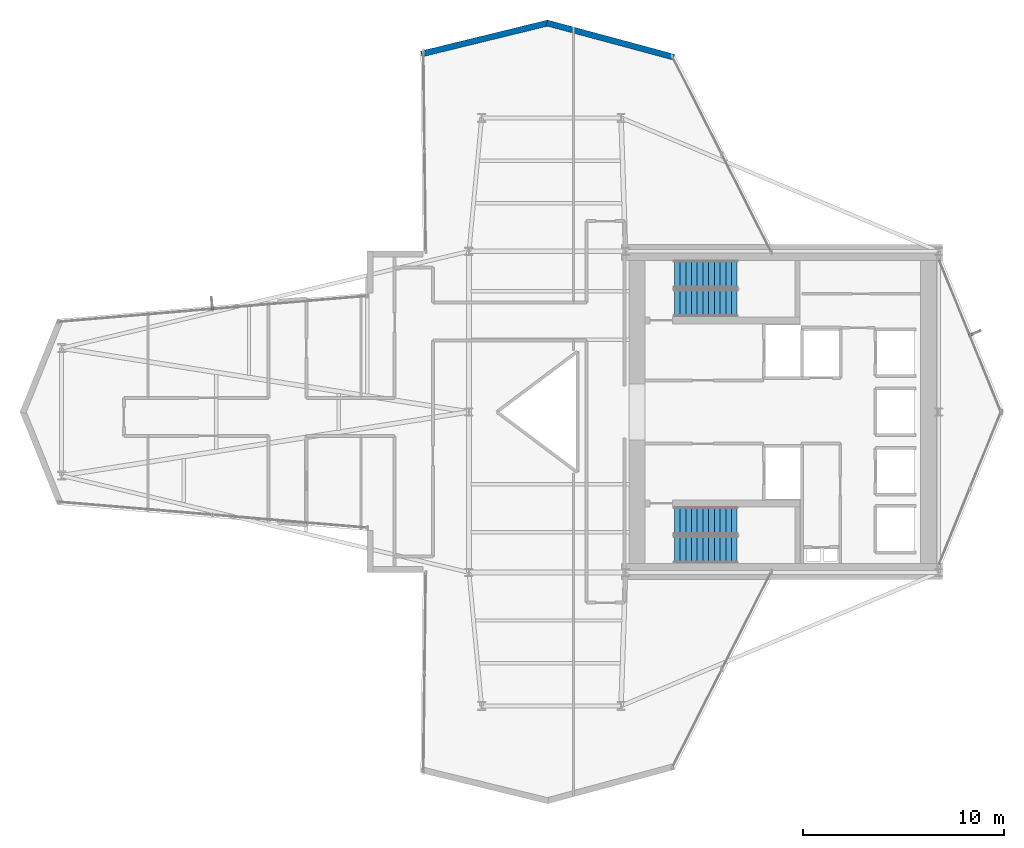
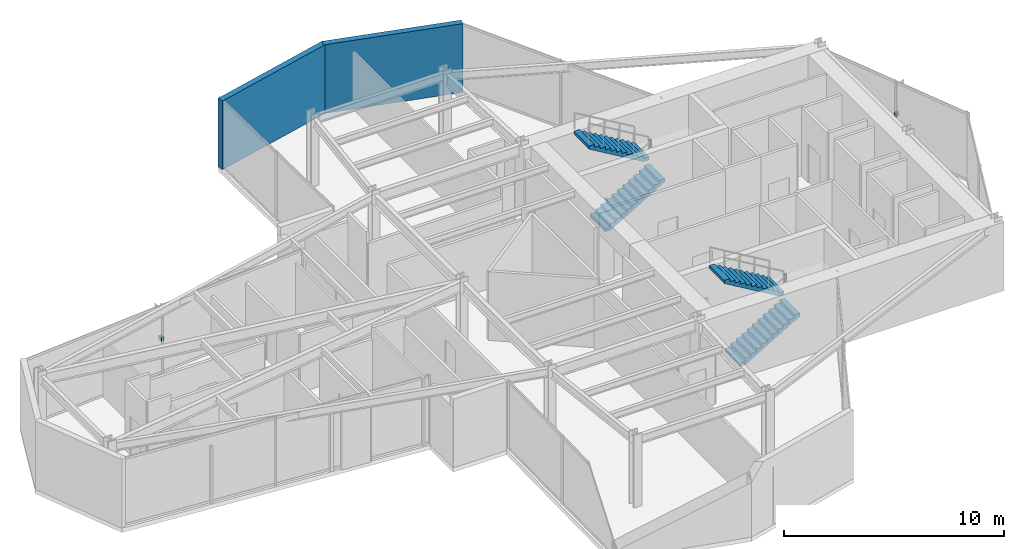
# One storey, part 25 of 26: 4 stair flights, 2 discrete accessories, 2 walls, 2 elements without a shape of their own.
"""IFC4 building model written with IfcOpenShell, lengths in metres."""

from ifc_helpers import new_model, si_unit, direction, frame, frame_2d, origin, origin_2d, place, context, subcontext, project, spatial, polyline, rectangle, outline, extrude, material, layer, layer_set, type_object, element, aggregate, save


model = new_model("IFC4")

# Units and contexts
model_context = context("Model", 3, precision=1e-05, world=origin(), true_north=direction((0.0, 1.0)))
body_context = subcontext(model_context, "Body", "Model", "MODEL_VIEW")
ifc_project = project(units=[si_unit("LENGTHUNIT", "METRE"), si_unit("AREAUNIT", "SQUARE_METRE"), si_unit("VOLUMEUNIT", "CUBIC_METRE"), si_unit("PLANEANGLEUNIT", "RADIAN"), si_unit("MASSUNIT", "GRAM", prefix="KILO")], contexts=[model_context])

# Site, building, storey
site_placement = place(None, origin())
site = spatial("IfcSite", under=ifc_project, at=site_placement, CompositionType="ELEMENT")
building_placement = place(site_placement, origin())
building = spatial("IfcBuilding", under=site, at=building_placement, Name="Veymaron Broadcast Tower", CompositionType="ELEMENT")
storey_placement = place(building_placement, frame((0.0, 0.0, 133.050048828125)))
storey = spatial("IfcBuildingStorey", under=building, at=storey_placement, Name="L30", CompositionType="ELEMENT", Elevation=133.050048828125)

# Walls
ifc_material_1 = material(Name="Precast concrete C40/50 with mineral-wool insulation", Category="concrete")
ifc_layer_1 = layer(ifc_material_1, 0.300048828125)
ifc_layer_set_1 = layer_set([ifc_layer_1], Name="Precast concrete C40/50 with mineral-wool insulation")
wall_type = type_object("IfcWallType", Name="WALL-EXT-300", PredefinedType="STANDARD", material=ifc_layer_set_1)
wall_1_placement = place(storey_placement, frame((41.403564453125, 41.6748046875, 0.0), z_axis=(0.0, 0.0, 1.0), x_axis=(-0.965531145086, 0.260287548434, 0.0)))
element("IfcWall", 1, at=wall_1_placement, inside=storey, type_object=wall_type, Name="L30 notched corner facade pier 6-1", PredefinedType="STANDARD", context=body_context, shape_type="SweptSolid", body=[
    extrude(rectangle(XDim=6.55078125, YDim=0.300048828125, at=frame_2d((3.275390625, 0.0))), origin(), (0.0, 0.0, 1.0), 3.81005859375),
])
wall_2_placement = place(storey_placement, frame((35.148193359375, 43.37890625, 0.0), z_axis=(0.0, 0.0, 1.0), x_axis=(-0.971267606245, -0.23798999361, 0.0)))
element("IfcWall", 2, at=wall_2_placement, inside=storey, type_object=wall_type, Name="L30 notched corner facade pier 7-1", PredefinedType="STANDARD", context=body_context, shape_type="SweptSolid", body=[
    extrude(rectangle(XDim=6.511962890625, YDim=0.300048828125, at=frame_2d((3.255859375, 0.0))), origin(), (0.0, 0.0, 1.0), 3.81005859375),
])

# Stair, stair flights
ifc_material_2 = material(Name="Concrete C50/60", Category="concrete")
stair_type_1 = type_object("IfcStairType", Name="STAIR-CORE-1", PredefinedType="HALF_TURN_STAIR", material=ifc_material_2)
stair_1_placement = place(storey_placement, origin())
stair_1 = element("IfcStair", 3, at=stair_1_placement, inside=storey, type_object=stair_type_1, Name="L30 North protected dog-leg exit stair ST1", PredefinedType="HALF_TURN_STAIR")
ifc_material_3 = material(Name="Precast concrete C50/60", Category="concrete")
stair_flight_type = type_object("IfcStairFlightType", Name="FLT-CORE-RC", PredefinedType="STRAIGHT", material=ifc_material_3)
stair_flight_1_placement = place(storey_placement, frame((41.429931640625, 29.419921875, 0.0), z_axis=(0.0, 0.0, 1.0), x_axis=(1.0, 0.0, 0.0)))
stair_flight_1 = element("IfcStairFlight", 4, at=stair_flight_1_placement, type_object=stair_flight_type, Name="ST1 flight 1", NumberOfRisers=12, NumberOfTreads=11, PredefinedType="STRAIGHT", RiserHeight=0.16875, TreadLength=0.285, context=body_context, shape_type="SweptSolid", body=[
    extrude(outline(polyline([(0.0, 0.0), (0.0, 0.168701171875), (0.284912109375, 0.168701171875), (0.284912109375, 0.33740234375), (0.570068359375, 0.33740234375), (0.570068359375, 0.50634765625), (0.85498046875, 0.50634765625), (0.85498046875, 0.675048828125), (1.139892578125, 0.675048828125), (1.139892578125, 0.84375), (1.425048828125, 0.84375), (1.425048828125, 1.012451171875), (1.7099609375, 1.012451171875), (1.7099609375, 1.18115234375), (1.9951171875, 1.18115234375), (1.9951171875, 1.35009765625), (2.280029296875, 1.35009765625), (2.280029296875, 1.518798828125), (2.56494140625, 1.518798828125), (2.56494140625, 1.6875), (2.85009765625, 1.6875), (2.85009765625, 1.856201171875), (3.135009765625, 1.856201171875), (3.135009765625, 2.02490234375), (3.135009765625, 1.68212890625), (0.294189453125, 0.0), (0.0, 0.0)])), frame((0.0, 0.68994140625, 0.0), z_axis=(0.0, -1.0, 0.0), x_axis=(1.0, 0.0, 0.0)), (0.0, 0.0, 1.0), 1.3798828125),
])
stair_flight_2_placement = place(storey_placement, frame((44.56494140625, 30.860107421875, 2.02490234375), z_axis=(0.0, 0.0, 1.0), x_axis=(-1.0, 0.0, 0.0)))
stair_flight_2 = element("IfcStairFlight", 5, at=stair_flight_2_placement, type_object=stair_flight_type, Name="ST1 flight 2", NumberOfRisers=12, NumberOfTreads=11, PredefinedType="STRAIGHT", RiserHeight=0.16875, TreadLength=0.285, context=body_context, shape_type="SweptSolid", body=[
    extrude(outline(polyline([(0.0, 0.0), (0.0, 0.168701171875), (0.284912109375, 0.168701171875), (0.284912109375, 0.33740234375), (0.570068359375, 0.33740234375), (0.570068359375, 0.50634765625), (0.85498046875, 0.50634765625), (0.85498046875, 0.675048828125), (1.139892578125, 0.675048828125), (1.139892578125, 0.84375), (1.425048828125, 0.84375), (1.425048828125, 1.012451171875), (1.7099609375, 1.012451171875), (1.7099609375, 1.18115234375), (1.9951171875, 1.18115234375), (1.9951171875, 1.35009765625), (2.280029296875, 1.35009765625), (2.280029296875, 1.518798828125), (2.56494140625, 1.518798828125), (2.56494140625, 1.6875), (2.85009765625, 1.6875), (2.85009765625, 1.856201171875), (3.135009765625, 1.856201171875), (3.135009765625, 2.02490234375), (3.135009765625, 1.68212890625), (0.294189453125, 0.0), (0.0, 0.0)])), frame((0.0, 0.68994140625, 0.0), z_axis=(0.0, -1.0, 0.0), x_axis=(1.0, 0.0, 0.0)), (0.0, 0.0, 1.0), 1.3798828125),
])
aggregate(stair_1, [stair_flight_1, stair_flight_2])

stair_type_2 = type_object("IfcStairType", Name="STAIR-CORE-2", PredefinedType="HALF_TURN_STAIR", material=ifc_material_2)
stair_2_placement = place(storey_placement, origin())
stair_2 = element("IfcStair", 6, at=stair_2_placement, inside=storey, type_object=stair_type_2, Name="L30 South protected dog-leg exit stair ST2", PredefinedType="HALF_TURN_STAIR")
stair_flight_3_placement = place(storey_placement, frame((41.429931640625, 17.139892578125, 0.0), z_axis=(0.0, 0.0, 1.0), x_axis=(1.0, 0.0, 0.0)))
stair_flight_3 = element("IfcStairFlight", 7, at=stair_flight_3_placement, type_object=stair_flight_type, Name="ST2 flight 1", NumberOfRisers=12, NumberOfTreads=11, PredefinedType="STRAIGHT", RiserHeight=0.16875, TreadLength=0.285, context=body_context, shape_type="SweptSolid", body=[
    extrude(outline(polyline([(0.0, 0.0), (0.0, 0.168701171875), (0.284912109375, 0.168701171875), (0.284912109375, 0.33740234375), (0.570068359375, 0.33740234375), (0.570068359375, 0.50634765625), (0.85498046875, 0.50634765625), (0.85498046875, 0.675048828125), (1.139892578125, 0.675048828125), (1.139892578125, 0.84375), (1.425048828125, 0.84375), (1.425048828125, 1.012451171875), (1.7099609375, 1.012451171875), (1.7099609375, 1.18115234375), (1.9951171875, 1.18115234375), (1.9951171875, 1.35009765625), (2.280029296875, 1.35009765625), (2.280029296875, 1.518798828125), (2.56494140625, 1.518798828125), (2.56494140625, 1.6875), (2.85009765625, 1.6875), (2.85009765625, 1.856201171875), (3.135009765625, 1.856201171875), (3.135009765625, 2.02490234375), (3.135009765625, 1.68212890625), (0.294189453125, 0.0), (0.0, 0.0)])), frame((0.0, 0.68994140625, 0.0), z_axis=(0.0, -1.0, 0.0), x_axis=(1.0, 0.0, 0.0)), (0.0, 0.0, 1.0), 1.3798828125),
])
stair_flight_4_placement = place(storey_placement, frame((44.56494140625, 18.580078125, 2.02490234375), z_axis=(0.0, 0.0, 1.0), x_axis=(-1.0, 0.0, 0.0)))
stair_flight_4 = element("IfcStairFlight", 8, at=stair_flight_4_placement, type_object=stair_flight_type, Name="ST2 flight 2", NumberOfRisers=12, NumberOfTreads=11, PredefinedType="STRAIGHT", RiserHeight=0.16875, TreadLength=0.285, context=body_context, shape_type="SweptSolid", body=[
    extrude(outline(polyline([(0.0, 0.0), (0.0, 0.168701171875), (0.284912109375, 0.168701171875), (0.284912109375, 0.33740234375), (0.570068359375, 0.33740234375), (0.570068359375, 0.50634765625), (0.85498046875, 0.50634765625), (0.85498046875, 0.675048828125), (1.139892578125, 0.675048828125), (1.139892578125, 0.84375), (1.425048828125, 0.84375), (1.425048828125, 1.012451171875), (1.7099609375, 1.012451171875), (1.7099609375, 1.18115234375), (1.9951171875, 1.18115234375), (1.9951171875, 1.35009765625), (2.280029296875, 1.35009765625), (2.280029296875, 1.518798828125), (2.56494140625, 1.518798828125), (2.56494140625, 1.6875), (2.85009765625, 1.6875), (2.85009765625, 1.856201171875), (3.135009765625, 1.856201171875), (3.135009765625, 2.02490234375), (3.135009765625, 1.68212890625), (0.294189453125, 0.0), (0.0, 0.0)])), frame((0.0, 0.68994140625, 0.0), z_axis=(0.0, -1.0, 0.0), x_axis=(1.0, 0.0, 0.0)), (0.0, 0.0, 1.0), 1.3798828125),
])
aggregate(stair_2, [stair_flight_3, stair_flight_4])

# Discrete accessories
ifc_material_4 = material(Name="Austenitic stainless steel AISI 316L", Category="steel")
ifc_layer_2 = layer(ifc_material_4, 0.1201171875)
ifc_layer_set_2 = layer_set([ifc_layer_2], Name="Austenitic stainless steel AISI 316L")
discrete_accessory_type = type_object("IfcDiscreteAccessoryType", Name="ACC-BRKT-SS1", PredefinedType="BRACKET", material=ifc_layer_set_2)
for number, where, z_axis, x_axis, name in (
    (9, (56.20458984375, 27.84375, 1.794921875), (0.0, 0.0, 1.0), (0.926265751019, 0.376871010412, 0.0), "CW-L30-E3-1 fin bracket 1"),
    (10, (18.416748046875, 29.1884765625, 1.794921875), (0.0, 0.0, 1.0), (-0.083503921245, 0.996507448611, 0.0), "CW-L30-E11-1 fin bracket 1"),
):
    element("IfcDiscreteAccessory", number, at=place(storey_placement, frame(where, z_axis=z_axis, x_axis=x_axis)), inside=storey, type_object=discrete_accessory_type, Name=name, PredefinedType="BRACKET", context=body_context, shape_type="SweptSolid", body=[
        extrude(rectangle(XDim=0.219970703125, YDim=0.139892578125, at=origin_2d()), origin(), (0.0, 0.0, 1.0), 0.219970703125),
    ])

save(model, "model.ifc")
